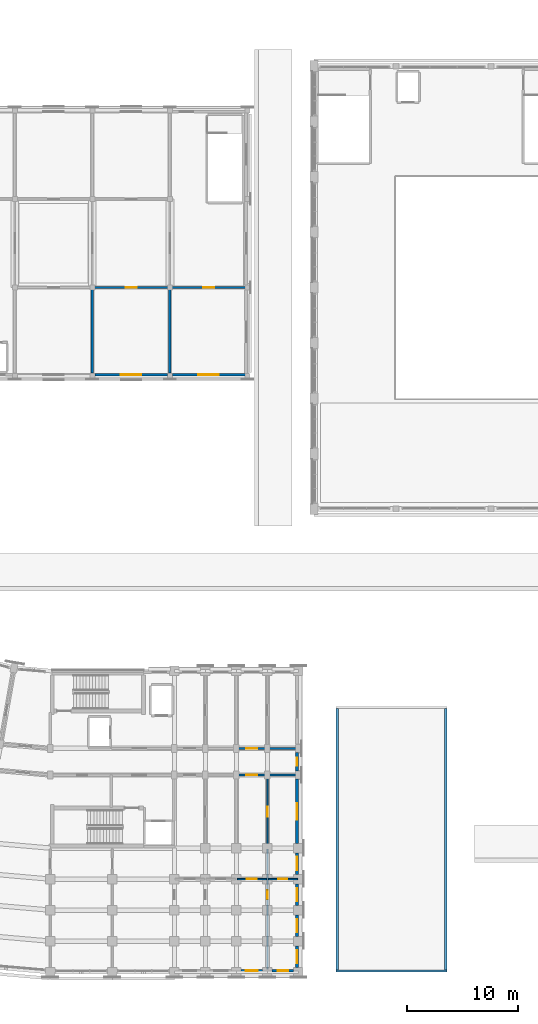
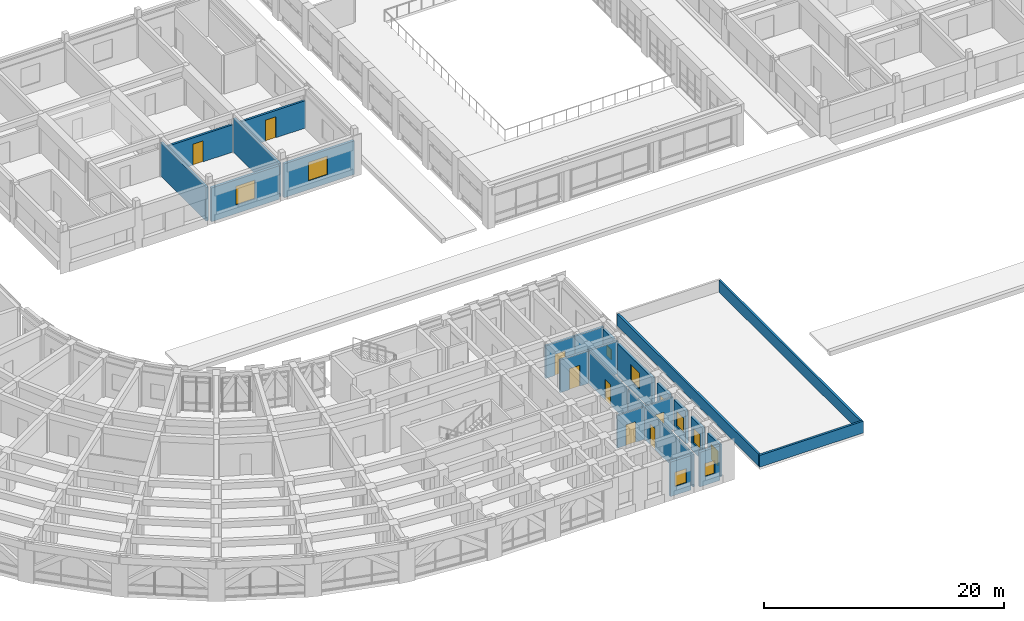
# One storey, part 62 of 97: 25 walls, 10 windows, 8 doors, 18 openings.
"""IFC4 building model written with IfcOpenShell, lengths in metres."""

from ifc_helpers import new_model, si_unit, direction, frame, frame_2d, origin, place, context, subcontext, project, spatial, rectangle, extrude, material, layer, layer_set, type_object, element, fill, save


model = new_model("IFC4")

# Units and contexts
model_context = context("Model", 3, precision=1e-05, world=origin(), true_north=direction((0.0, 1.0)))
body_context = subcontext(model_context, "Body", "Model", "MODEL_VIEW")
ifc_project = project(units=[si_unit("LENGTHUNIT", "METRE"), si_unit("AREAUNIT", "SQUARE_METRE"), si_unit("VOLUMEUNIT", "CUBIC_METRE"), si_unit("PLANEANGLEUNIT", "RADIAN"), si_unit("MASSUNIT", "GRAM", prefix="KILO")], contexts=[model_context])

# Site, building, storey
site_placement = place(None, origin())
site = spatial("IfcSite", under=ifc_project, at=site_placement, CompositionType="ELEMENT")
building_placement = place(site_placement, origin())
building = spatial("IfcBuilding", under=site, at=building_placement, Name="Kiranvali Square Residences", CompositionType="ELEMENT")
storey_placement = place(building_placement, frame((0.0, 0.0, 4.5)))
storey = spatial("IfcBuildingStorey", under=building, at=storey_placement, Name="L01", CompositionType="ELEMENT", Elevation=4.5)

# Wall, opening, door
ifc_material_1 = material(Name="Autoclaved aerated concrete blockwork masonry", Category="masonry")
ifc_layer_1 = layer(ifc_material_1, 0.199951171875)
ifc_layer_set_1 = layer_set([ifc_layer_1], Name="Autoclaved aerated concrete blockwork masonry")
wall_type_1 = type_object("IfcWallType", Name="WL-COR-200", PredefinedType="STANDARD", material=ifc_layer_set_1)
wall_1_placement = place(storey_placement, frame((65.0, 22.39990234375, 0.0), z_axis=(0.0, 0.0, 1.0), x_axis=(1.0, 0.0, 0.0)))
wall_1 = element("IfcWall", 1, at=wall_1_placement, inside=storey, type_object=wall_type_1, Name="L01 architectural wall WL-L01-C-A1CI-2", PredefinedType="STANDARD", context=body_context, shape_type="SweptSolid", body=[
    extrude(rectangle(XDim=2.800048828125, YDim=0.199951171875, at=frame_2d((1.39990234375, 0.0))), origin(), (0.0, 0.0, 1.0), 3.322021484375),
])
opening_1_placement = place(wall_1_placement, frame((0.89990234375, 0.0, 0.0)))
opening_1 = element("IfcOpeningElement", 2, at=opening_1_placement, cuts=wall_1, Name="Opening FD-APT-60", PredefinedType="OPENING", context=body_context, shape_type="SweptSolid", body=[
    extrude(rectangle(XDim=1.0, YDim=2.14990234375, at=frame_2d((0.5, 1.074951171875))), frame((0.0, 0.10986328125, 0.0), z_axis=(0.0, -1.0, 0.0), x_axis=(1.0, 0.0, 0.0)), (0.0, 0.0, 1.0), 0.219970703125),
])
ifc_material_2 = material(Name="Fire-rated acoustic hardwood and mineral-core door assembly", Category="wood")
door_type_1 = type_object("IfcDoorType", Name="DR-APT-1000", OperationType="NOTDEFINED", PredefinedType="DOOR", material=ifc_material_2)
door_1_placement = place(opening_1_placement, origin())
door_1 = element("IfcDoor", 3, at=door_1_placement, inside=storey, type_object=door_type_1, Name="L01 door DR-L01-1803 (DR-APT-1000)", OperationType="SINGLE_SWING_LEFT", OverallHeight=2.14990234375, OverallWidth=1.0, PredefinedType="DOOR", context=body_context, shape_type="SweptSolid", body=[
    extrude(rectangle(XDim=1.0, YDim=2.14990234375, at=frame_2d((0.5, 1.074951171875))), frame((0.0, 0.02490234375, 0.0), z_axis=(0.0, -1.0, 0.0), x_axis=(1.0, 0.0, 0.0)), (0.0, 0.0, 1.0), 0.050048828125),
])
fill(opening_1, door_1)

wall_2_placement = place(storey_placement, frame((65.0, 20.0, 0.0), z_axis=(0.0, 0.0, 1.0), x_axis=(1.0, 0.0, 0.0)))
wall_2 = element("IfcWall", 4, at=wall_2_placement, inside=storey, type_object=wall_type_1, Name="L01 architectural wall WL-L01-C-A1CO-2", PredefinedType="STANDARD", context=body_context, shape_type="SweptSolid", body=[
    extrude(rectangle(XDim=2.800048828125, YDim=0.199951171875, at=frame_2d((1.39990234375, 0.0))), origin(), (0.0, 0.0, 1.0), 3.322021484375),
])
opening_2_placement = place(wall_2_placement, frame((0.89990234375, 0.0, 0.0)))
opening_2 = element("IfcOpeningElement", 5, at=opening_2_placement, cuts=wall_2, Name="Opening FD-APT-60", PredefinedType="OPENING", context=body_context, shape_type="SweptSolid", body=[
    extrude(rectangle(XDim=1.0, YDim=2.14990234375, at=frame_2d((0.5, 1.074951171875))), frame((0.0, 0.10986328125, 0.0), z_axis=(0.0, -1.0, 0.0), x_axis=(1.0, 0.0, 0.0)), (0.0, 0.0, 1.0), 0.219970703125),
])
door_2_placement = place(opening_2_placement, origin())
door_2 = element("IfcDoor", 6, at=door_2_placement, inside=storey, type_object=door_type_1, Name="L01 door DR-L01-1805 (DR-APT-1000)", OperationType="SINGLE_SWING_LEFT", OverallHeight=2.14990234375, OverallWidth=1.0, PredefinedType="DOOR", context=body_context, shape_type="SweptSolid", body=[
    extrude(rectangle(XDim=1.0, YDim=2.14990234375, at=frame_2d((0.5, 1.074951171875))), frame((0.0, 0.02490234375, 0.0), z_axis=(0.0, -1.0, 0.0), x_axis=(1.0, 0.0, 0.0)), (0.0, 0.0, 1.0), 0.050048828125),
])
fill(opening_2, door_2)

# Walls
for number, where, z_axis, x_axis, name in (
    (7, (67.800048828125, 22.39990234375, 0.0), (0.0, 0.0, 1.0), (1.0, 0.0, 0.0), "L01 architectural wall WL-L01-C-A1CI-3"),
    (8, (67.800048828125, 20.0, 0.0), (0.0, 0.0, 1.0), (1.0, 0.0, 0.0), "L01 architectural wall WL-L01-C-A1CO-3"),
):
    element("IfcWall", number, at=place(storey_placement, frame(where, z_axis=z_axis, x_axis=x_axis)), inside=storey, type_object=wall_type_1, Name=name, PredefinedType="STANDARD", context=body_context, shape_type="SweptSolid", body=[
        extrude(rectangle(XDim=2.800048828125, YDim=0.199951171875, at=frame_2d((1.39990234375, 0.0))), origin(), (0.0, 0.0, 1.0), 3.322021484375),
    ])

# Wall, opening, door
wall_3_placement = place(storey_placement, frame((52.14990234375, 64.0, 0.0), z_axis=(0.0, 0.0, 1.0), x_axis=(1.0, 0.0, 0.0)))
wall_3 = element("IfcWall", 9, at=wall_3_placement, inside=storey, type_object=wall_type_1, Name="L01 architectural wall WL-NR-L01-Y0-2", PredefinedType="STANDARD", context=body_context, shape_type="SweptSolid", body=[
    extrude(rectangle(XDim=6.7001953125, YDim=0.199951171875, at=frame_2d((3.35009765625, 0.0))), origin(), (0.0, 0.0, 1.0), 2.7919921875),
])
opening_3_placement = place(wall_3_placement, frame((2.85009765625, 0.0, 0.0)))
opening_3 = element("IfcOpeningElement", 10, at=opening_3_placement, cuts=wall_3, Name="Opening FD-APT-60", PredefinedType="OPENING", context=body_context, shape_type="SweptSolid", body=[
    extrude(rectangle(XDim=1.0, YDim=2.14990234375, at=frame_2d((0.5, 1.074951171875))), frame((0.0, 0.10986328125, 0.0), z_axis=(0.0, -1.0, 0.0), x_axis=(1.0, 0.0, 0.0)), (0.0, 0.0, 1.0), 0.219970703125),
])
door_3_placement = place(opening_3_placement, origin())
door_3 = element("IfcDoor", 11, at=door_3_placement, inside=storey, type_object=door_type_1, Name="L01 door DR-L01-2323 (DR-APT-1000)", OperationType="SINGLE_SWING_LEFT", OverallHeight=2.14990234375, OverallWidth=1.0, PredefinedType="DOOR", context=body_context, shape_type="SweptSolid", body=[
    extrude(rectangle(XDim=1.0, YDim=2.14990234375, at=frame_2d((0.5, 1.074951171875))), frame((0.0, 0.02490234375, 0.0), z_axis=(0.0, -1.0, 0.0), x_axis=(1.0, 0.0, 0.0)), (0.0, 0.0, 1.0), 0.050048828125),
])
fill(opening_3, door_3)

wall_4_placement = place(storey_placement, frame((59.14990234375, 64.0, 0.0), z_axis=(0.0, 0.0, 1.0), x_axis=(1.0, 0.0, 0.0)))
wall_4 = element("IfcWall", 12, at=wall_4_placement, inside=storey, type_object=wall_type_1, Name="L01 architectural wall WL-NR-L01-Y0-3", PredefinedType="STANDARD", context=body_context, shape_type="SweptSolid", body=[
    extrude(rectangle(XDim=6.7001953125, YDim=0.199951171875, at=frame_2d((3.35009765625, 0.0))), origin(), (0.0, 0.0, 1.0), 2.7919921875),
])
opening_4_placement = place(wall_4_placement, frame((2.85009765625, 0.0, 0.0)))
opening_4 = element("IfcOpeningElement", 13, at=opening_4_placement, cuts=wall_4, Name="Opening FD-APT-60", PredefinedType="OPENING", context=body_context, shape_type="SweptSolid", body=[
    extrude(rectangle(XDim=1.0, YDim=2.14990234375, at=frame_2d((0.5, 1.074951171875))), frame((0.0, 0.10986328125, 0.0), z_axis=(0.0, -1.0, 0.0), x_axis=(1.0, 0.0, 0.0)), (0.0, 0.0, 1.0), 0.219970703125),
])
door_4_placement = place(opening_4_placement, frame((1.0, 0.0, 0.0), z_axis=(0.0, 0.0, 1.0), x_axis=(-1.0, 0.0, 0.0)))
door_4 = element("IfcDoor", 14, at=door_4_placement, inside=storey, type_object=door_type_1, Name="L01 door DR-L01-2324 (DR-APT-1000)", OperationType="SINGLE_SWING_RIGHT", OverallHeight=2.14990234375, OverallWidth=1.0, PredefinedType="DOOR", context=body_context, shape_type="SweptSolid", body=[
    extrude(rectangle(XDim=1.0, YDim=2.14990234375, at=frame_2d((0.5, 1.074951171875))), frame((0.0, 0.02490234375, 0.0), z_axis=(0.0, -1.0, 0.0), x_axis=(1.0, 0.0, 0.0)), (0.0, 0.0, 1.0), 0.050048828125),
])
fill(opening_4, door_4)

# Walls
ifc_layer_2 = layer(ifc_material_1, 0.219970703125)
ifc_layer_set_2 = layer_set([ifc_layer_2], Name="Autoclaved aerated concrete blockwork masonry")
wall_type_2 = type_object("IfcWallType", Name="WL-DEM-220", PredefinedType="STANDARD", material=ifc_layer_set_2)
for number, where, z_axis, x_axis, name in (
    (15, (52.0, 56.300048828125, 0.0), (0.0, 0.0, 1.0), (0.0, 1.0, 0.0), "L01 architectural wall WL-NR-L01-X2-S"),
    (16, (59.0, 56.300048828125, 0.0), (0.0, 0.0, 1.0), (0.0, 1.0, 0.0), "L01 architectural wall WL-NR-L01-X3-S"),
):
    element("IfcWall", number, at=place(storey_placement, frame(where, z_axis=z_axis, x_axis=x_axis)), inside=storey, type_object=wall_type_2, Name=name, PredefinedType="STANDARD", context=body_context, shape_type="SweptSolid", body=[
        extrude(rectangle(XDim=7.599853515625, YDim=0.219970703125, at=frame_2d((3.7998046875, 0.0))), origin(), (0.0, 0.0, 1.0), 3.44189453125),
    ])

# Wall, opening, window
ifc_material_3 = material(Name="Breathable lime-rendered clay brick masonry", Category="masonry")
ifc_layer_3 = layer(ifc_material_3, 0.25)
ifc_layer_set_3 = layer_set([ifc_layer_3], Name="Breathable lime-rendered clay brick masonry")
wall_type_3 = type_object("IfcWallType", Name="WL-EXT-250", PredefinedType="STANDARD", material=ifc_layer_set_3)
wall_5_placement = place(storey_placement, frame((65.428466796875, 2.324951171875, 0.0), z_axis=(0.0, 0.0, 1.0), x_axis=(1.0, 0.0, 0.0)))
wall_5 = element("IfcWall", 17, at=wall_5_placement, inside=storey, type_object=wall_type_3, Name="L01 exterior wall C-L01-A1O-4", PredefinedType="STANDARD", context=body_context, shape_type="SweptSolid", body=[
    extrude(rectangle(XDim=1.943115234375, YDim=0.25, at=frame_2d((0.9716796875, 0.0))), origin(), (0.0, 0.0, 1.0), 3.52197265625),
])
opening_5_placement = place(wall_5_placement, frame((0.42138671875, 0.0, 0.8798828125)))
opening_5 = element("IfcOpeningElement", 18, at=opening_5_placement, cuts=wall_5, Name="Opening W-15", PredefinedType="OPENING", context=body_context, shape_type="SweptSolid", body=[
    extrude(rectangle(XDim=1.10009765625, YDim=1.449951171875, at=frame_2d((0.550048828125, 0.72509765625))), frame((0.0, 0.135009765625, 0.0), z_axis=(0.0, -1.0, 0.0), x_axis=(1.0, 0.0, 0.0)), (0.0, 0.0, 1.0), 0.27001953125),
])
ifc_material_4 = material(Name="Solar-control low-e double glazing", Category="glass")
window_type_1 = type_object("IfcWindowType", Name="WIN-RES-1100x1450", PartitioningType="SINGLE_PANEL", PredefinedType="WINDOW", material=ifc_material_4)
window_1_placement = place(opening_5_placement, origin())
window_1 = element("IfcWindow", 19, at=window_1_placement, inside=storey, type_object=window_type_1, Name="L01 recessed window C-L01-A1O-4", OverallHeight=1.449951171875, OverallWidth=1.10009765625, PartitioningType="SINGLE_PANEL", PredefinedType="WINDOW", context=body_context, shape_type="SweptSolid", body=[
    extrude(rectangle(XDim=1.10009765625, YDim=1.449951171875, at=frame_2d((0.550048828125, 0.72509765625))), frame((0.0, 0.030029296875, 0.0), z_axis=(0.0, -1.0, 0.0), x_axis=(1.0, 0.0, 0.0)), (0.0, 0.0, 1.0), 0.06005859375),
])
fill(opening_5, window_1)

wall_6_placement = place(storey_placement, frame((68.228515625, 2.324951171875, 0.0), z_axis=(0.0, 0.0, 1.0), x_axis=(1.0, 0.0, 0.0)))
wall_6 = element("IfcWall", 20, at=wall_6_placement, inside=storey, type_object=wall_type_3, Name="L01 exterior wall C-L01-A1O-5", PredefinedType="STANDARD", context=body_context, shape_type="SweptSolid", body=[
    extrude(rectangle(XDim=1.94287109375, YDim=0.25, at=frame_2d((0.971435546875, 0.0))), origin(), (0.0, 0.0, 1.0), 3.52197265625),
])
opening_6_placement = place(wall_6_placement, frame((0.49658203125, 0.0, 0.8798828125)))
opening_6 = element("IfcOpeningElement", 21, at=opening_6_placement, cuts=wall_6, Name="Opening W-16", PredefinedType="OPENING", context=body_context, shape_type="SweptSolid", body=[
    extrude(rectangle(XDim=0.949951171875, YDim=1.35009765625, at=frame_2d((0.47509765625, 0.675048828125))), frame((0.0, 0.135009765625, 0.0), z_axis=(0.0, -1.0, 0.0), x_axis=(1.0, 0.0, 0.0)), (0.0, 0.0, 1.0), 0.27001953125),
])
window_type_2 = type_object("IfcWindowType", Name="WIN-RES-950x1350", PartitioningType="SINGLE_PANEL", PredefinedType="WINDOW", material=ifc_material_4)
window_2_placement = place(opening_6_placement, origin())
window_2 = element("IfcWindow", 22, at=window_2_placement, inside=storey, type_object=window_type_2, Name="L01 recessed window C-L01-A1O-5", OverallHeight=1.35009765625, OverallWidth=0.949951171875, PartitioningType="SINGLE_PANEL", PredefinedType="WINDOW", context=body_context, shape_type="SweptSolid", body=[
    extrude(rectangle(XDim=0.949951171875, YDim=1.35009765625, at=frame_2d((0.47509765625, 0.675048828125))), frame((0.0, 0.030029296875, 0.0), z_axis=(0.0, -1.0, 0.0), x_axis=(1.0, 0.0, 0.0)), (0.0, 0.0, 1.0), 0.06005859375),
])
fill(opening_6, window_2)

wall_7_placement = place(storey_placement, frame((70.47509765625, 22.021484375, 0.0), z_axis=(0.0, 0.0, 1.0), x_axis=(0.0, -1.0, 0.0)))
wall_7 = element("IfcWall", 23, at=wall_7_placement, inside=storey, type_object=wall_type_3, Name="L01 exterior wall C-L01-A1END-1", PredefinedType="STANDARD", context=body_context, shape_type="SweptSolid", body=[
    extrude(rectangle(XDim=1.64306640625, YDim=0.25, at=frame_2d((0.821533203125, 0.0))), origin(), (0.0, 0.0, 1.0), 3.322021484375),
])
opening_7_placement = place(wall_7_placement, frame((0.446533203125, 0.0, 0.8798828125)))
opening_7 = element("IfcOpeningElement", 24, at=opening_7_placement, cuts=wall_7, Name="Opening W-07", PredefinedType="OPENING", context=body_context, shape_type="SweptSolid", body=[
    extrude(rectangle(XDim=0.75, YDim=1.050048828125, at=frame_2d((0.375, 0.52490234375))), frame((0.0, 0.135009765625, 0.0), z_axis=(0.0, -1.0, 0.0), x_axis=(1.0, 0.0, 0.0)), (0.0, 0.0, 1.0), 0.27001953125),
])
window_type_3 = type_object("IfcWindowType", Name="WIN-WET-750x1050", PartitioningType="SINGLE_PANEL", PredefinedType="WINDOW", material=ifc_material_4)
window_3_placement = place(opening_7_placement, origin())
window_3 = element("IfcWindow", 25, at=window_3_placement, inside=storey, type_object=window_type_3, Name="L01 recessed window C-L01-A1END-1", OverallHeight=1.050048828125, OverallWidth=0.75, PartitioningType="SINGLE_PANEL", PredefinedType="WINDOW", context=body_context, shape_type="SweptSolid", body=[
    extrude(rectangle(XDim=0.75, YDim=1.050048828125, at=frame_2d((0.375, 0.52490234375))), frame((0.0, 0.030029296875, 0.0), z_axis=(0.0, -1.0, 0.0), x_axis=(1.0, 0.0, 0.0)), (0.0, 0.0, 1.0), 0.06005859375),
])
fill(opening_7, window_3)

wall_8_placement = place(storey_placement, frame((70.47509765625, 19.62158203125, 0.0), z_axis=(0.0, 0.0, 1.0), x_axis=(0.0, -1.0, 0.0)))
wall_8 = element("IfcWall", 26, at=wall_8_placement, inside=storey, type_object=wall_type_3, Name="L01 exterior wall C-L01-A1END-2", PredefinedType="STANDARD", context=body_context, shape_type="SweptSolid", body=[
    extrude(rectangle(XDim=5.801513671875, YDim=0.25, at=frame_2d((2.90087890625, 0.0))), origin(), (0.0, 0.0, 1.0), 3.322021484375),
])
opening_8_placement = place(wall_8_placement, frame((2.17138671875, 0.0, 0.8798828125)))
opening_8 = element("IfcOpeningElement", 27, at=opening_8_placement, cuts=wall_8, Name="Opening W-05", PredefinedType="OPENING", context=body_context, shape_type="SweptSolid", body=[
    extrude(rectangle(XDim=1.5, YDim=1.64990234375, at=frame_2d((0.75, 0.824951171875))), frame((0.0, 0.135009765625, 0.0), z_axis=(0.0, -1.0, 0.0), x_axis=(1.0, 0.0, 0.0)), (0.0, 0.0, 1.0), 0.27001953125),
])
window_type_4 = type_object("IfcWindowType", Name="WIN-RES-1500x1650", PartitioningType="DOUBLE_PANEL_VERTICAL", PredefinedType="WINDOW", material=ifc_material_4)
window_4_placement = place(opening_8_placement, origin())
window_4 = element("IfcWindow", 28, at=window_4_placement, inside=storey, type_object=window_type_4, Name="L01 recessed window C-L01-A1END-2", OverallHeight=1.64990234375, OverallWidth=1.5, PartitioningType="DOUBLE_PANEL_VERTICAL", PredefinedType="WINDOW", context=body_context, shape_type="SweptSolid", body=[
    extrude(rectangle(XDim=1.5, YDim=1.64990234375, at=frame_2d((0.75, 0.824951171875))), frame((0.0, 0.030029296875, 0.0), z_axis=(0.0, -1.0, 0.0), x_axis=(1.0, 0.0, 0.0)), (0.0, 0.0, 1.0), 0.06005859375),
])
fill(opening_8, window_4)

wall_9_placement = place(storey_placement, frame((70.47509765625, 12.97998046875, 0.0), z_axis=(0.0, 0.0, 1.0), x_axis=(0.0, -1.0, 0.0)))
wall_9 = element("IfcWall", 29, at=wall_9_placement, inside=storey, type_object=wall_type_3, Name="L01 exterior wall C-L01-A1END-3", PredefinedType="STANDARD", context=body_context, shape_type="SweptSolid", body=[
    extrude(rectangle(XDim=1.9599609375, YDim=0.25, at=frame_2d((0.97998046875, 0.0))), origin(), (0.0, 0.0, 1.0), 3.322021484375),
])
opening_9_placement = place(wall_9_placement, frame((0.3798828125, 0.0, 0.8798828125)))
opening_9 = element("IfcOpeningElement", 30, at=opening_9_placement, cuts=wall_9, Name="Opening W-06", PredefinedType="OPENING", context=body_context, shape_type="SweptSolid", body=[
    extrude(rectangle(XDim=1.199951171875, YDim=1.5, at=frame_2d((0.60009765625, 0.75))), frame((0.0, 0.135009765625, 0.0), z_axis=(0.0, -1.0, 0.0), x_axis=(1.0, 0.0, 0.0)), (0.0, 0.0, 1.0), 0.27001953125),
])
window_type_5 = type_object("IfcWindowType", Name="WIN-RES-1200x1500", PartitioningType="SINGLE_PANEL", PredefinedType="WINDOW", material=ifc_material_4)
window_5_placement = place(opening_9_placement, origin())
window_5 = element("IfcWindow", 31, at=window_5_placement, inside=storey, type_object=window_type_5, Name="L01 recessed window C-L01-A1END-3", OverallHeight=1.5, OverallWidth=1.199951171875, PartitioningType="SINGLE_PANEL", PredefinedType="WINDOW", context=body_context, shape_type="SweptSolid", body=[
    extrude(rectangle(XDim=1.199951171875, YDim=1.5, at=frame_2d((0.60009765625, 0.75))), frame((0.0, 0.030029296875, 0.0), z_axis=(0.0, -1.0, 0.0), x_axis=(1.0, 0.0, 0.0)), (0.0, 0.0, 1.0), 0.06005859375),
])
fill(opening_9, window_5)

wall_10_placement = place(storey_placement, frame((70.47509765625, 10.179931640625, 0.0), z_axis=(0.0, 0.0, 1.0), x_axis=(0.0, -1.0, 0.0)))
wall_10 = element("IfcWall", 32, at=wall_10_placement, inside=storey, type_object=wall_type_3, Name="L01 exterior wall C-L01-A1END-4", PredefinedType="STANDARD", context=body_context, shape_type="SweptSolid", body=[
    extrude(rectangle(XDim=1.9599609375, YDim=0.25, at=frame_2d((0.97998046875, 0.0))), origin(), (0.0, 0.0, 1.0), 3.322021484375),
])
opening_10_placement = place(wall_10_placement, frame((0.3798828125, 0.0, 0.8798828125)))
opening_10 = element("IfcOpeningElement", 33, at=opening_10_placement, cuts=wall_10, Name="Opening W-06", PredefinedType="OPENING", context=body_context, shape_type="SweptSolid", body=[
    extrude(rectangle(XDim=1.199951171875, YDim=1.5, at=frame_2d((0.60009765625, 0.75))), frame((0.0, 0.135009765625, 0.0), z_axis=(0.0, -1.0, 0.0), x_axis=(1.0, 0.0, 0.0)), (0.0, 0.0, 1.0), 0.27001953125),
])
window_6_placement = place(opening_10_placement, origin())
window_6 = element("IfcWindow", 34, at=window_6_placement, inside=storey, type_object=window_type_5, Name="L01 recessed window C-L01-A1END-4", OverallHeight=1.5, OverallWidth=1.199951171875, PartitioningType="SINGLE_PANEL", PredefinedType="WINDOW", context=body_context, shape_type="SweptSolid", body=[
    extrude(rectangle(XDim=1.199951171875, YDim=1.5, at=frame_2d((0.60009765625, 0.75))), frame((0.0, 0.030029296875, 0.0), z_axis=(0.0, -1.0, 0.0), x_axis=(1.0, 0.0, 0.0)), (0.0, 0.0, 1.0), 0.06005859375),
])
fill(opening_10, window_6)

wall_11_placement = place(storey_placement, frame((70.47509765625, 7.3798828125, 0.0), z_axis=(0.0, 0.0, 1.0), x_axis=(0.0, -1.0, 0.0)))
wall_11 = element("IfcWall", 35, at=wall_11_placement, inside=storey, type_object=wall_type_3, Name="L01 exterior wall C-L01-A1END-5", PredefinedType="STANDARD", context=body_context, shape_type="SweptSolid", body=[
    extrude(rectangle(XDim=1.9599609375, YDim=0.25, at=frame_2d((0.97998046875, 0.0))), origin(), (0.0, 0.0, 1.0), 3.322021484375),
])
opening_11_placement = place(wall_11_placement, frame((0.3798828125, 0.0, 0.8798828125)))
opening_11 = element("IfcOpeningElement", 36, at=opening_11_placement, cuts=wall_11, Name="Opening W-06", PredefinedType="OPENING", context=body_context, shape_type="SweptSolid", body=[
    extrude(rectangle(XDim=1.199951171875, YDim=1.5, at=frame_2d((0.60009765625, 0.75))), frame((0.0, 0.135009765625, 0.0), z_axis=(0.0, -1.0, 0.0), x_axis=(1.0, 0.0, 0.0)), (0.0, 0.0, 1.0), 0.27001953125),
])
window_7_placement = place(opening_11_placement, origin())
window_7 = element("IfcWindow", 37, at=window_7_placement, inside=storey, type_object=window_type_5, Name="L01 recessed window C-L01-A1END-5", OverallHeight=1.5, OverallWidth=1.199951171875, PartitioningType="SINGLE_PANEL", PredefinedType="WINDOW", context=body_context, shape_type="SweptSolid", body=[
    extrude(rectangle(XDim=1.199951171875, YDim=1.5, at=frame_2d((0.60009765625, 0.75))), frame((0.0, 0.030029296875, 0.0), z_axis=(0.0, -1.0, 0.0), x_axis=(1.0, 0.0, 0.0)), (0.0, 0.0, 1.0), 0.06005859375),
])
fill(opening_11, window_7)

wall_12_placement = place(storey_placement, frame((70.47509765625, 4.580078125, 0.0), z_axis=(0.0, 0.0, 1.0), x_axis=(0.0, -1.0, 0.0)))
wall_12 = element("IfcWall", 38, at=wall_12_placement, inside=storey, type_object=wall_type_3, Name="L01 exterior wall C-L01-A1END-6", PredefinedType="STANDARD", context=body_context, shape_type="SweptSolid", body=[
    extrude(rectangle(XDim=1.9599609375, YDim=0.25, at=frame_2d((0.97998046875, 0.0))), origin(), (0.0, 0.0, 1.0), 3.322021484375),
])
opening_12_placement = place(wall_12_placement, frame((0.3798828125, 0.0, 0.8798828125)))
opening_12 = element("IfcOpeningElement", 39, at=opening_12_placement, cuts=wall_12, Name="Opening W-06", PredefinedType="OPENING", context=body_context, shape_type="SweptSolid", body=[
    extrude(rectangle(XDim=1.199951171875, YDim=1.5, at=frame_2d((0.60009765625, 0.75))), frame((0.0, 0.135009765625, 0.0), z_axis=(0.0, -1.0, 0.0), x_axis=(1.0, 0.0, 0.0)), (0.0, 0.0, 1.0), 0.27001953125),
])
window_8_placement = place(opening_12_placement, origin())
window_8 = element("IfcWindow", 40, at=window_8_placement, inside=storey, type_object=window_type_5, Name="L01 recessed window C-L01-A1END-6", OverallHeight=1.5, OverallWidth=1.199951171875, PartitioningType="SINGLE_PANEL", PredefinedType="WINDOW", context=body_context, shape_type="SweptSolid", body=[
    extrude(rectangle(XDim=1.199951171875, YDim=1.5, at=frame_2d((0.60009765625, 0.75))), frame((0.0, 0.030029296875, 0.0), z_axis=(0.0, -1.0, 0.0), x_axis=(1.0, 0.0, 0.0)), (0.0, 0.0, 1.0), 0.06005859375),
])
fill(opening_12, window_8)

wall_13_placement = place(storey_placement, frame((52.228515625, 56.125, 0.0), z_axis=(0.0, 0.0, 1.0), x_axis=(1.0, 0.0, 0.0)))
wall_13 = element("IfcWall", 41, at=wall_13_placement, inside=storey, type_object=wall_type_3, Name="L01 exterior wall NR-L01-S-2", PredefinedType="STANDARD", context=body_context, shape_type="SweptSolid", body=[
    extrude(rectangle(XDim=6.54296875, YDim=0.25, at=frame_2d((3.271484375, 0.0))), origin(), (0.0, 0.0, 1.0), 3.44189453125),
])
opening_13_placement = place(wall_13_placement, frame((2.346435546875, 0.0, 0.8798828125)))
opening_13 = element("IfcOpeningElement", 42, at=opening_13_placement, cuts=wall_13, Name="Opening W-22", PredefinedType="OPENING", context=body_context, shape_type="SweptSolid", body=[
    extrude(rectangle(XDim=1.85009765625, YDim=1.89990234375, at=frame_2d((0.925048828125, 0.949951171875))), frame((0.0, 0.135009765625, 0.0), z_axis=(0.0, -1.0, 0.0), x_axis=(1.0, 0.0, 0.0)), (0.0, 0.0, 1.0), 0.27001953125),
])
window_type_6 = type_object("IfcWindowType", Name="WIN-PAV-1850x1900", PartitioningType="DOUBLE_PANEL_VERTICAL", PredefinedType="WINDOW", material=ifc_material_4)
window_9_placement = place(opening_13_placement, origin())
window_9 = element("IfcWindow", 43, at=window_9_placement, inside=storey, type_object=window_type_6, Name="L01 recessed window NR-L01-S-2", OverallHeight=1.89990234375, OverallWidth=1.85009765625, PartitioningType="DOUBLE_PANEL_VERTICAL", PredefinedType="WINDOW", context=body_context, shape_type="SweptSolid", body=[
    extrude(rectangle(XDim=1.85009765625, YDim=1.89990234375, at=frame_2d((0.925048828125, 0.949951171875))), frame((0.0, 0.030029296875, 0.0), z_axis=(0.0, -1.0, 0.0), x_axis=(1.0, 0.0, 0.0)), (0.0, 0.0, 1.0), 0.06005859375),
])
fill(opening_13, window_9)

wall_14_placement = place(storey_placement, frame((59.228515625, 56.125, 0.0), z_axis=(0.0, 0.0, 1.0), x_axis=(1.0, 0.0, 0.0)))
wall_14 = element("IfcWall", 44, at=wall_14_placement, inside=storey, type_object=wall_type_3, Name="L01 exterior wall NR-L01-S-3", PredefinedType="STANDARD", context=body_context, shape_type="SweptSolid", body=[
    extrude(rectangle(XDim=6.771484375, YDim=0.25, at=frame_2d((3.3857421875, 0.0))), origin(), (0.0, 0.0, 1.0), 3.44189453125),
])
opening_14_placement = place(wall_14_placement, frame((2.346435546875, 0.0, 0.8798828125)))
opening_14 = element("IfcOpeningElement", 45, at=opening_14_placement, cuts=wall_14, Name="Opening W-22", PredefinedType="OPENING", context=body_context, shape_type="SweptSolid", body=[
    extrude(rectangle(XDim=1.85009765625, YDim=1.89990234375, at=frame_2d((0.925048828125, 0.949951171875))), frame((0.0, 0.135009765625, 0.0), z_axis=(0.0, -1.0, 0.0), x_axis=(1.0, 0.0, 0.0)), (0.0, 0.0, 1.0), 0.27001953125),
])
window_10_placement = place(opening_14_placement, origin())
window_10 = element("IfcWindow", 46, at=window_10_placement, inside=storey, type_object=window_type_6, Name="L01 recessed window NR-L01-S-3", OverallHeight=1.89990234375, OverallWidth=1.85009765625, PartitioningType="DOUBLE_PANEL_VERTICAL", PredefinedType="WINDOW", context=body_context, shape_type="SweptSolid", body=[
    extrude(rectangle(XDim=1.85009765625, YDim=1.89990234375, at=frame_2d((0.925048828125, 0.949951171875))), frame((0.0, 0.030029296875, 0.0), z_axis=(0.0, -1.0, 0.0), x_axis=(1.0, 0.0, 0.0)), (0.0, 0.0, 1.0), 0.06005859375),
])
fill(opening_14, window_10)

# Walls
ifc_material_5 = material(Name="Porbandar limestone coping and lime-rendered brick masonry", Category="masonry")
ifc_layer_4 = layer(ifc_material_5, 0.199951171875)
ifc_layer_set_4 = layer_set([ifc_layer_4], Name="Porbandar limestone coping and lime-rendered brick masonry")
wall_type_4 = type_object("IfcWallType", Name="WL-PAR-200", PredefinedType="PARAPET", material=ifc_layer_set_4)
wall_15_placement = place(storey_placement, frame((74.0, 2.300048828125, 0.0), z_axis=(0.0, 0.0, 1.0), x_axis=(1.0, 0.0, 0.0)))
element("IfcWall", 47, at=wall_15_placement, inside=storey, type_object=wall_type_4, Name="South Boulevard Ramp and Arcade Portal roof parapet wall S", PredefinedType="PARAPET", context=body_context, shape_type="SweptSolid", body=[
    extrude(rectangle(XDim=10.0, YDim=0.199951171875, at=frame_2d((5.0, 0.0))), origin(), (0.0, 0.0, 1.0), 1.199951171875),
])
for number, where, z_axis, x_axis, name in (
    (48, (74.10009765625, 2.404052734375, 0.0), (0.0, 0.0, 1.0), (0.0, 1.0, 0.0), "South Boulevard Ramp and Arcade Portal roof parapet wall W"),
    (49, (83.89990234375, 2.404052734375, 0.0), (0.0, 0.0, 1.0), (0.0, 1.0, 0.0), "South Boulevard Ramp and Arcade Portal roof parapet wall E"),
):
    element("IfcWall", number, at=place(storey_placement, frame(where, z_axis=z_axis, x_axis=x_axis)), inside=storey, type_object=wall_type_4, Name=name, PredefinedType="PARAPET", context=body_context, shape_type="SweptSolid", body=[
        extrude(rectangle(XDim=23.592041015625, YDim=0.199951171875, at=frame_2d((11.7958984375, 0.0))), origin(), (0.0, 0.0, 1.0), 1.199951171875),
    ])

# Wall, opening, door
ifc_material_6 = material(Name="Acoustic gypsum board drylined partition", Category="gypsum")
ifc_layer_5 = layer(ifc_material_6, 0.14990234375)
ifc_layer_set_5 = layer_set([ifc_layer_5], Name="Acoustic gypsum board drylined partition")
wall_type_5 = type_object("IfcWallType", Name="WL-PRT-150", PredefinedType="PARTITIONING", material=ifc_layer_set_5)
wall_16_placement = place(storey_placement, frame((67.800048828125, 19.949951171875, 0.0), z_axis=(0.0, 0.0, 1.0), x_axis=(0.0, -1.0, 0.0)))
wall_16 = element("IfcWall", 50, at=wall_16_placement, inside=storey, type_object=wall_type_5, Name="L01 architectural wall WL-L01-C-A1TO1-3", PredefinedType="PARTITIONING", context=body_context, shape_type="SweptSolid", body=[
    extrude(rectangle(XDim=6.530029296875, YDim=0.14990234375, at=frame_2d((3.26513671875, 0.0))), origin(), (0.0, 0.0, 1.0), 3.322021484375),
])
opening_15_placement = place(wall_16_placement, frame((2.81494140625, 0.0, 0.0)))
opening_15 = element("IfcOpeningElement", 51, at=opening_15_placement, cuts=wall_16, Name="Opening ID-1", PredefinedType="OPENING", context=body_context, shape_type="SweptSolid", body=[
    extrude(rectangle(XDim=0.89990234375, YDim=2.10009765625, at=frame_2d((0.449951171875, 1.050048828125))), frame((0.0, 0.0849609375, 0.0), z_axis=(0.0, -1.0, 0.0), x_axis=(1.0, 0.0, 0.0)), (0.0, 0.0, 1.0), 0.169921875),
])
ifc_material_7 = material(Name="Solid seasoned teak hardwood joinery", Category="wood")
door_type_2 = type_object("IfcDoorType", Name="DR-INT-900", OperationType="NOTDEFINED", PredefinedType="DOOR", material=ifc_material_7)
door_5_placement = place(opening_15_placement, frame((0.89990234375, 0.0, 0.0), z_axis=(0.0, 0.0, 1.0), x_axis=(-1.0, 0.0, 0.0)))
door_5 = element("IfcDoor", 52, at=door_5_placement, inside=storey, type_object=door_type_2, Name="L01 door DR-L01-1812 (DR-INT-900)", OperationType="SINGLE_SWING_RIGHT", OverallHeight=2.10009765625, OverallWidth=0.89990234375, PredefinedType="DOOR", context=body_context, shape_type="SweptSolid", body=[
    extrude(rectangle(XDim=0.89990234375, YDim=2.10009765625, at=frame_2d((0.449951171875, 1.050048828125))), frame((0.0, 0.02490234375, 0.0), z_axis=(0.0, -1.0, 0.0), x_axis=(1.0, 0.0, 0.0)), (0.0, 0.0, 1.0), 0.050048828125),
])
fill(opening_15, door_5)

wall_17_placement = place(storey_placement, frame((67.800048828125, 13.300048828125, 0.0), z_axis=(0.0, 0.0, 1.0), x_axis=(0.0, -1.0, 0.0)))
wall_17 = element("IfcWall", 53, at=wall_17_placement, inside=storey, type_object=wall_type_5, Name="L01 architectural wall WL-L01-C-A1TO2-3", PredefinedType="PARTITIONING", context=body_context, shape_type="SweptSolid", body=[
    extrude(rectangle(XDim=10.820068359375, YDim=0.14990234375, at=frame_2d((5.41015625, 0.0))), origin(), (0.0, 0.0, 1.0), 3.322021484375),
])
opening_16_placement = place(wall_17_placement, frame((3.69970703125, 0.0, 0.0)))
opening_16 = element("IfcOpeningElement", 54, at=opening_16_placement, cuts=wall_17, Name="Opening ID-WET", PredefinedType="OPENING", context=body_context, shape_type="SweptSolid", body=[
    extrude(rectangle(XDim=0.800048828125, YDim=2.10009765625, at=frame_2d((0.39990234375, 1.050048828125))), frame((0.0, 0.0849609375, 0.0), z_axis=(0.0, -1.0, 0.0), x_axis=(1.0, 0.0, 0.0)), (0.0, 0.0, 1.0), 0.169921875),
])
door_type_3 = type_object("IfcDoorType", Name="DR-WET-800", OperationType="NOTDEFINED", PredefinedType="DOOR", material=ifc_material_7)
door_6_placement = place(opening_16_placement, origin())
door_6 = element("IfcDoor", 55, at=door_6_placement, inside=storey, type_object=door_type_3, Name="L01 door DR-L01-1813 (DR-WET-800)", OperationType="SINGLE_SWING_LEFT", OverallHeight=2.10009765625, OverallWidth=0.800048828125, PredefinedType="DOOR", context=body_context, shape_type="SweptSolid", body=[
    extrude(rectangle(XDim=0.800048828125, YDim=2.10009765625, at=frame_2d((0.39990234375, 1.050048828125))), frame((0.0, 0.02490234375, 0.0), z_axis=(0.0, -1.0, 0.0), x_axis=(1.0, 0.0, 0.0)), (0.0, 0.0, 1.0), 0.050048828125),
])
fill(opening_16, door_6)

ifc_layer_6 = layer(ifc_material_1, 0.14990234375)
ifc_layer_set_6 = layer_set([ifc_layer_6], Name="Autoclaved aerated concrete blockwork masonry")
wall_type_6 = type_object("IfcWallType", Name="WL-WET-150", PredefinedType="PLUMBINGWALL", material=ifc_layer_set_6)
wall_18_placement = place(storey_placement, frame((65.080078125, 10.60009765625, 0.0), z_axis=(0.0, 0.0, 1.0), x_axis=(1.0, 0.0, 0.0)))
wall_18 = element("IfcWall", 56, at=wall_18_placement, inside=storey, type_object=wall_type_6, Name="L01 architectural wall WL-L01-C-A1SP-2", PredefinedType="PLUMBINGWALL", context=body_context, shape_type="SweptSolid", body=[
    extrude(rectangle(XDim=2.639892578125, YDim=0.14990234375, at=frame_2d((1.31982421875, 0.0))), origin(), (0.0, 0.0, 1.0), 3.322021484375),
])
opening_17_placement = place(wall_18_placement, frame((0.8701171875, 0.0, 0.0)))
opening_17 = element("IfcOpeningElement", 57, at=opening_17_placement, cuts=wall_18, Name="Opening ID-1", PredefinedType="OPENING", context=body_context, shape_type="SweptSolid", body=[
    extrude(rectangle(XDim=0.89990234375, YDim=2.10009765625, at=frame_2d((0.449951171875, 1.050048828125))), frame((0.0, 0.0849609375, 0.0), z_axis=(0.0, -1.0, 0.0), x_axis=(1.0, 0.0, 0.0)), (0.0, 0.0, 1.0), 0.169921875),
])
door_7_placement = place(opening_17_placement, frame((0.89990234375, 0.0, 0.0), z_axis=(0.0, 0.0, 1.0), x_axis=(-1.0, 0.0, 0.0)))
door_7 = element("IfcDoor", 58, at=door_7_placement, inside=storey, type_object=door_type_2, Name="L01 door DR-L01-1804 (DR-INT-900)", OperationType="SINGLE_SWING_RIGHT", OverallHeight=2.10009765625, OverallWidth=0.89990234375, PredefinedType="DOOR", context=body_context, shape_type="SweptSolid", body=[
    extrude(rectangle(XDim=0.89990234375, YDim=2.10009765625, at=frame_2d((0.449951171875, 1.050048828125))), frame((0.0, 0.02490234375, 0.0), z_axis=(0.0, -1.0, 0.0), x_axis=(1.0, 0.0, 0.0)), (0.0, 0.0, 1.0), 0.050048828125),
])
fill(opening_17, door_7)

wall_19_placement = place(storey_placement, frame((67.8798828125, 10.60009765625, 0.0), z_axis=(0.0, 0.0, 1.0), x_axis=(1.0, 0.0, 0.0)))
wall_19 = element("IfcWall", 59, at=wall_19_placement, inside=storey, type_object=wall_type_6, Name="L01 architectural wall WL-L01-C-A1SP-3", PredefinedType="PLUMBINGWALL", context=body_context, shape_type="SweptSolid", body=[
    extrude(rectangle(XDim=2.64013671875, YDim=0.14990234375, at=frame_2d((1.320068359375, 0.0))), origin(), (0.0, 0.0, 1.0), 3.322021484375),
])
opening_18_placement = place(wall_19_placement, frame((0.919921875, 0.0, 0.0)))
opening_18 = element("IfcOpeningElement", 60, at=opening_18_placement, cuts=wall_19, Name="Opening ID-WET", PredefinedType="OPENING", context=body_context, shape_type="SweptSolid", body=[
    extrude(rectangle(XDim=0.800048828125, YDim=2.10009765625, at=frame_2d((0.39990234375, 1.050048828125))), frame((0.0, 0.0849609375, 0.0), z_axis=(0.0, -1.0, 0.0), x_axis=(1.0, 0.0, 0.0)), (0.0, 0.0, 1.0), 0.169921875),
])
door_8_placement = place(opening_18_placement, frame((0.800048828125, 0.0, 0.0), z_axis=(0.0, 0.0, 1.0), x_axis=(-1.0, 0.0, 0.0)))
door_8 = element("IfcDoor", 61, at=door_8_placement, inside=storey, type_object=door_type_3, Name="L01 door DR-L01-1806 (DR-WET-800)", OperationType="SINGLE_SWING_RIGHT", OverallHeight=2.10009765625, OverallWidth=0.800048828125, PredefinedType="DOOR", context=body_context, shape_type="SweptSolid", body=[
    extrude(rectangle(XDim=0.800048828125, YDim=2.10009765625, at=frame_2d((0.39990234375, 1.050048828125))), frame((0.0, 0.02490234375, 0.0), z_axis=(0.0, -1.0, 0.0), x_axis=(1.0, 0.0, 0.0)), (0.0, 0.0, 1.0), 0.050048828125),
])
fill(opening_18, door_8)

save(model, "model.ifc")
